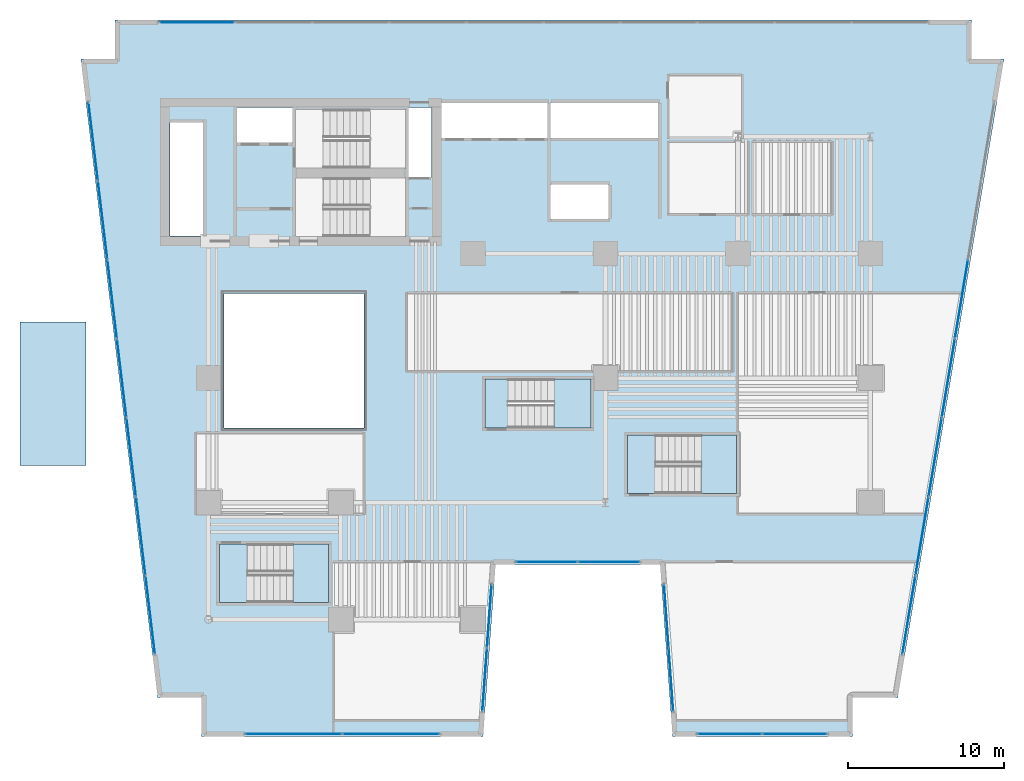
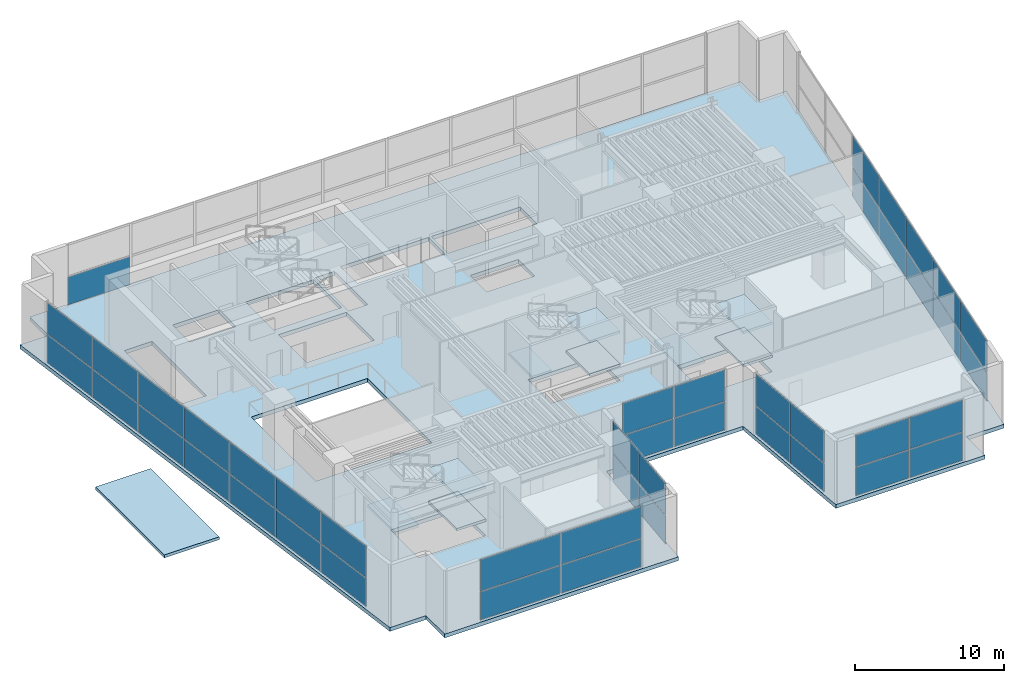
# One storey, part 8 of 17: 45 plates, 11 slabs, 11 elements without a shape of their own.
"""IFC4 building model written with IfcOpenShell, lengths in metres."""

from ifc_helpers import new_model, si_unit, direction, frame, origin, origin_2d, place, context, subcontext, project, spatial, polyline, rectangle, outline, extrude, material, layer, layer_set, type_object, element, aggregate, save


model = new_model("IFC4")

# Units and contexts
model_context = context("Model", 3, precision=1e-05, world=origin(), true_north=direction((0.0, 1.0)))
body_context = subcontext(model_context, "Body", "Model", "MODEL_VIEW")
ifc_project = project(units=[si_unit("LENGTHUNIT", "METRE"), si_unit("AREAUNIT", "SQUARE_METRE"), si_unit("VOLUMEUNIT", "CUBIC_METRE"), si_unit("PLANEANGLEUNIT", "RADIAN"), si_unit("MASSUNIT", "GRAM", prefix="KILO")], contexts=[model_context])

# Site, building, storey
site_placement = place(None, origin())
site = spatial("IfcSite", under=ifc_project, at=site_placement, CompositionType="ELEMENT")
building_placement = place(site_placement, origin())
building = spatial("IfcBuilding", under=site, at=building_placement, Name="Caeloran Harvest Quay", CompositionType="ELEMENT")
storey_placement = place(building_placement, frame((0.0, 0.0, 5.39990234375)))
storey = spatial("IfcBuildingStorey", under=building, at=storey_placement, Name="L02", CompositionType="ELEMENT", Elevation=5.39990234375)

# Curtain wall, plates
ifc_material_1 = material(Name="Aluminium 6063-T6 and Low-E Glazing", Category="aluminium")
ifc_layer_1 = layer(ifc_material_1, 0.179931640625, Name="Aluminium 6063-T6 and Low-E Glazing")
ifc_layer_set_1 = layer_set([ifc_layer_1], Name="Aluminium 6063-T6 and Low-E Glazing")
curtain_wall_type = type_object("IfcCurtainWallType", Name="CW-SYS-CW-1", PredefinedType="USERDEFINED", material=ifc_layer_set_1)
curtain_wall_1_placement = place(storey_placement, origin())
curtain_wall_1 = element("IfcCurtainWall", 1, at=curtain_wall_1_placement, inside=storey, type_object=curtain_wall_type, Name="L02 Unitised Curtain Wall CW-1 Run 3", ObjectType="CURTAIN_WALL", PredefinedType="USERDEFINED")
ifc_material_2 = material(Name="Low-E Double Glazed Vision Glass Unit", Category="glass")
ifc_layer_2 = layer(ifc_material_2, 0.035888671875, Name="Low-E Double Glazed Vision Glass Unit")
ifc_layer_set_2 = layer_set([ifc_layer_2], Name="Low-E Double Glazed Vision Glass Unit")
plate_type = type_object("IfcPlateType", Name="CW-VISION-PANEL", PredefinedType="CURTAIN_PANEL", material=ifc_layer_set_2)
plate_1_placement = place(storey_placement, frame((4.765380859375, 7.798095703125, 0.080078125), z_axis=(0.0, 0.0, 1.0), x_axis=(-0.119658079138, 0.992815161093, 0.0)))
plate_1 = element("IfcPlate", 2, at=plate_1_placement, type_object=plate_type, Name="CW-1 panel 1.1", PredefinedType="CURTAIN_PANEL", context=body_context, shape_type="SweptSolid", body=[
    extrude(rectangle(XDim=4.99072265625, YDim=0.035888671875, at=origin_2d()), origin(), (0.0, 0.0, 1.0), 2.280029296875),
])
plate_2_placement = place(storey_placement, frame((4.765380859375, 7.798095703125, 2.440185546875), z_axis=(0.0, 0.0, 1.0), x_axis=(-0.119658079138, 0.992815161093, 0.0)))
plate_2 = element("IfcPlate", 3, at=plate_2_placement, type_object=plate_type, Name="CW-1 panel 1.2", PredefinedType="CURTAIN_PANEL", context=body_context, shape_type="SweptSolid", body=[
    extrude(rectangle(XDim=4.99072265625, YDim=0.035888671875, at=origin_2d()), origin(), (0.0, 0.0, 1.0), 2.56005859375),
])
plate_3_placement = place(storey_placement, frame((4.15625, 12.85205078125, 0.080078125), z_axis=(0.0, 0.0, 1.0), x_axis=(-0.119658079138, 0.992815161093, 0.0)))
plate_3 = element("IfcPlate", 4, at=plate_3_placement, type_object=plate_type, Name="CW-1 panel 2.1", PredefinedType="CURTAIN_PANEL", context=body_context, shape_type="SweptSolid", body=[
    extrude(rectangle(XDim=5.030517578125, YDim=0.035888671875, at=origin_2d()), origin(), (0.0, 0.0, 1.0), 2.280029296875),
])
plate_4_placement = place(storey_placement, frame((4.15625, 12.85205078125, 2.440185546875), z_axis=(0.0, 0.0, 1.0), x_axis=(-0.119658079138, 0.992815161093, 0.0)))
plate_4 = element("IfcPlate", 5, at=plate_4_placement, type_object=plate_type, Name="CW-1 panel 2.2", PredefinedType="CURTAIN_PANEL", context=body_context, shape_type="SweptSolid", body=[
    extrude(rectangle(XDim=5.030517578125, YDim=0.035888671875, at=origin_2d()), origin(), (0.0, 0.0, 1.0), 2.56005859375),
])
plate_5_placement = place(storey_placement, frame((3.544677734375, 17.926025390625, 0.080078125), z_axis=(0.0, 0.0, 1.0), x_axis=(-0.119658079138, 0.992815161093, 0.0)))
plate_5 = element("IfcPlate", 6, at=plate_5_placement, type_object=plate_type, Name="CW-1 panel 3.1", PredefinedType="CURTAIN_PANEL", context=body_context, shape_type="SweptSolid", body=[
    extrude(rectangle(XDim=5.030517578125, YDim=0.035888671875, at=origin_2d()), origin(), (0.0, 0.0, 1.0), 2.280029296875),
])
plate_6_placement = place(storey_placement, frame((3.544677734375, 17.926025390625, 2.440185546875), z_axis=(0.0, 0.0, 1.0), x_axis=(-0.119658079138, 0.992815161093, 0.0)))
plate_6 = element("IfcPlate", 7, at=plate_6_placement, type_object=plate_type, Name="CW-1 panel 3.2", PredefinedType="CURTAIN_PANEL", context=body_context, shape_type="SweptSolid", body=[
    extrude(rectangle(XDim=5.030517578125, YDim=0.035888671875, at=origin_2d()), origin(), (0.0, 0.0, 1.0), 2.56005859375),
])
plate_7_placement = place(storey_placement, frame((2.93310546875, 23.0, 0.080078125), z_axis=(0.0, 0.0, 1.0), x_axis=(-0.119658079138, 0.992815161093, 0.0)))
plate_7 = element("IfcPlate", 8, at=plate_7_placement, type_object=plate_type, Name="CW-1 panel 4.1", PredefinedType="CURTAIN_PANEL", context=body_context, shape_type="SweptSolid", body=[
    extrude(rectangle(XDim=5.030517578125, YDim=0.035888671875, at=origin_2d()), origin(), (0.0, 0.0, 1.0), 2.280029296875),
])
plate_8_placement = place(storey_placement, frame((2.93310546875, 23.0, 2.440185546875), z_axis=(0.0, 0.0, 1.0), x_axis=(-0.119658079138, 0.992815161093, 0.0)))
plate_8 = element("IfcPlate", 9, at=plate_8_placement, type_object=plate_type, Name="CW-1 panel 4.2", PredefinedType="CURTAIN_PANEL", context=body_context, shape_type="SweptSolid", body=[
    extrude(rectangle(XDim=5.030517578125, YDim=0.035888671875, at=origin_2d()), origin(), (0.0, 0.0, 1.0), 2.56005859375),
])
plate_9_placement = place(storey_placement, frame((2.321533203125, 28.073974609375, 0.080078125), z_axis=(0.0, 0.0, 1.0), x_axis=(-0.119658079138, 0.992815161093, 0.0)))
plate_9 = element("IfcPlate", 10, at=plate_9_placement, type_object=plate_type, Name="CW-1 panel 5.1", PredefinedType="CURTAIN_PANEL", context=body_context, shape_type="SweptSolid", body=[
    extrude(rectangle(XDim=5.030517578125, YDim=0.035888671875, at=origin_2d()), origin(), (0.0, 0.0, 1.0), 2.280029296875),
])
plate_10_placement = place(storey_placement, frame((2.321533203125, 28.073974609375, 2.440185546875), z_axis=(0.0, 0.0, 1.0), x_axis=(-0.119658079138, 0.992815161093, 0.0)))
plate_10 = element("IfcPlate", 11, at=plate_10_placement, type_object=plate_type, Name="CW-1 panel 5.2", PredefinedType="CURTAIN_PANEL", context=body_context, shape_type="SweptSolid", body=[
    extrude(rectangle(XDim=5.030517578125, YDim=0.035888671875, at=origin_2d()), origin(), (0.0, 0.0, 1.0), 2.56005859375),
])
plate_11_placement = place(storey_placement, frame((1.710205078125, 33.14794921875, 0.080078125), z_axis=(0.0, 0.0, 1.0), x_axis=(-0.119658079138, 0.992815161093, 0.0)))
plate_11 = element("IfcPlate", 12, at=plate_11_placement, type_object=plate_type, Name="CW-1 panel 6.1", PredefinedType="CURTAIN_PANEL", context=body_context, shape_type="SweptSolid", body=[
    extrude(rectangle(XDim=5.030517578125, YDim=0.035888671875, at=origin_2d()), origin(), (0.0, 0.0, 1.0), 2.280029296875),
])
plate_12_placement = place(storey_placement, frame((1.710205078125, 33.14794921875, 2.440185546875), z_axis=(0.0, 0.0, 1.0), x_axis=(-0.119658079138, 0.992815161093, 0.0)))
plate_12 = element("IfcPlate", 13, at=plate_12_placement, type_object=plate_type, Name="CW-1 panel 6.2", PredefinedType="CURTAIN_PANEL", context=body_context, shape_type="SweptSolid", body=[
    extrude(rectangle(XDim=5.030517578125, YDim=0.035888671875, at=origin_2d()), origin(), (0.0, 0.0, 1.0), 2.56005859375),
])
plate_13_placement = place(storey_placement, frame((1.10107421875, 38.201904296875, 0.080078125), z_axis=(0.0, 0.0, 1.0), x_axis=(-0.119658079138, 0.992815161093, 0.0)))
plate_13 = element("IfcPlate", 14, at=plate_13_placement, type_object=plate_type, Name="CW-1 panel 7.1", PredefinedType="CURTAIN_PANEL", context=body_context, shape_type="SweptSolid", body=[
    extrude(rectangle(XDim=4.99072265625, YDim=0.035888671875, at=origin_2d()), origin(), (0.0, 0.0, 1.0), 2.280029296875),
])
plate_14_placement = place(storey_placement, frame((1.10107421875, 38.201904296875, 2.440185546875), z_axis=(0.0, 0.0, 1.0), x_axis=(-0.119658079138, 0.992815161093, 0.0)))
plate_14 = element("IfcPlate", 15, at=plate_14_placement, type_object=plate_type, Name="CW-1 panel 7.2", PredefinedType="CURTAIN_PANEL", context=body_context, shape_type="SweptSolid", body=[
    extrude(rectangle(XDim=4.99072265625, YDim=0.035888671875, at=origin_2d()), origin(), (0.0, 0.0, 1.0), 2.56005859375),
])
aggregate(curtain_wall_1, [plate_1, plate_2, plate_3, plate_4, plate_5, plate_6, plate_7, plate_8, plate_9, plate_10, plate_11, plate_12, plate_13, plate_14])

# Curtain wall, plate
curtain_wall_2_placement = place(storey_placement, origin())
curtain_wall_2 = element("IfcCurtainWall", 16, at=curtain_wall_2_placement, inside=storey, type_object=curtain_wall_type, Name="L02 Unitised Curtain Wall CW-1 Run 6", ObjectType="CURTAIN_WALL", PredefinedType="USERDEFINED")
plate_15_placement = place(storey_placement, frame((7.75390625, 45.840087890625, 0.080078125), z_axis=(0.0, 0.0, 1.0), x_axis=(1.0, 0.0, 0.0)))
plate_15 = element("IfcPlate", 17, at=plate_15_placement, type_object=plate_type, Name="CW-1 panel 1.1", PredefinedType="CURTAIN_PANEL", context=body_context, shape_type="SweptSolid", body=[
    extrude(rectangle(XDim=4.827880859375, YDim=0.035888671875, at=origin_2d()), origin(), (0.0, 0.0, 1.0), 2.280029296875),
])
aggregate(curtain_wall_2, [plate_15])

# Curtain wall, plates
curtain_wall_3_placement = place(storey_placement, origin())
curtain_wall_3 = element("IfcCurtainWall", 18, at=curtain_wall_3_placement, inside=storey, type_object=curtain_wall_type, Name="L02 Unitised Curtain Wall CW-1 Run 9", ObjectType="CURTAIN_WALL", PredefinedType="USERDEFINED")
plate_16_placement = place(storey_placement, frame((56.85498046875, 28.07861328125, 0.080078125), z_axis=(0.0, 0.0, 1.0), x_axis=(-0.164174905304, -0.986431244674, 0.0)))
plate_16 = element("IfcPlate", 19, at=plate_16_placement, type_object=plate_type, Name="CW-1 panel 3.1", PredefinedType="CURTAIN_PANEL", context=body_context, shape_type="SweptSolid", body=[
    extrude(rectangle(XDim=5.068603515625, YDim=0.035888671875, at=origin_2d()), origin(), (0.0, 0.0, 1.0), 2.280029296875),
])
plate_17_placement = place(storey_placement, frame((56.85498046875, 28.07861328125, 2.440185546875), z_axis=(0.0, 0.0, 1.0), x_axis=(-0.164174905304, -0.986431244674, 0.0)))
plate_17 = element("IfcPlate", 20, at=plate_17_placement, type_object=plate_type, Name="CW-1 panel 3.2", PredefinedType="CURTAIN_PANEL", context=body_context, shape_type="SweptSolid", body=[
    extrude(rectangle(XDim=5.068603515625, YDim=0.035888671875, at=origin_2d()), origin(), (0.0, 0.0, 1.0), 2.56005859375),
])
plate_18_placement = place(storey_placement, frame((56.009765625, 23.0, 0.080078125), z_axis=(0.0, 0.0, 1.0), x_axis=(-0.164174905304, -0.986431244674, 0.0)))
plate_18 = element("IfcPlate", 21, at=plate_18_placement, type_object=plate_type, Name="CW-1 panel 4.1", PredefinedType="CURTAIN_PANEL", context=body_context, shape_type="SweptSolid", body=[
    extrude(rectangle(XDim=5.068603515625, YDim=0.035888671875, at=origin_2d()), origin(), (0.0, 0.0, 1.0), 2.280029296875),
])
plate_19_placement = place(storey_placement, frame((56.009765625, 23.0, 2.440185546875), z_axis=(0.0, 0.0, 1.0), x_axis=(-0.164174905304, -0.986431244674, 0.0)))
plate_19 = element("IfcPlate", 22, at=plate_19_placement, type_object=plate_type, Name="CW-1 panel 4.2", PredefinedType="CURTAIN_PANEL", context=body_context, shape_type="SweptSolid", body=[
    extrude(rectangle(XDim=5.068603515625, YDim=0.035888671875, at=origin_2d()), origin(), (0.0, 0.0, 1.0), 2.56005859375),
])
plate_20_placement = place(storey_placement, frame((55.16455078125, 17.92138671875, 0.080078125), z_axis=(0.0, 0.0, 1.0), x_axis=(-0.164174905304, -0.986431244674, 0.0)))
plate_20 = element("IfcPlate", 23, at=plate_20_placement, type_object=plate_type, Name="CW-1 panel 5.1", PredefinedType="CURTAIN_PANEL", context=body_context, shape_type="SweptSolid", body=[
    extrude(rectangle(XDim=5.068603515625, YDim=0.035888671875, at=origin_2d()), origin(), (0.0, 0.0, 1.0), 2.280029296875),
])
plate_21_placement = place(storey_placement, frame((55.16455078125, 17.92138671875, 2.440185546875), z_axis=(0.0, 0.0, 1.0), x_axis=(-0.164174905304, -0.986431244674, 0.0)))
plate_21 = element("IfcPlate", 24, at=plate_21_placement, type_object=plate_type, Name="CW-1 panel 5.2", PredefinedType="CURTAIN_PANEL", context=body_context, shape_type="SweptSolid", body=[
    extrude(rectangle(XDim=5.068603515625, YDim=0.035888671875, at=origin_2d()), origin(), (0.0, 0.0, 1.0), 2.56005859375),
])
plate_22_placement = place(storey_placement, frame((54.3193359375, 12.8427734375, 0.080078125), z_axis=(0.0, 0.0, 1.0), x_axis=(-0.164174905304, -0.986431244674, 0.0)))
plate_22 = element("IfcPlate", 25, at=plate_22_placement, type_object=plate_type, Name="CW-1 panel 6.1", PredefinedType="CURTAIN_PANEL", context=body_context, shape_type="SweptSolid", body=[
    extrude(rectangle(XDim=5.068603515625, YDim=0.035888671875, at=origin_2d()), origin(), (0.0, 0.0, 1.0), 2.280029296875),
])
plate_23_placement = place(storey_placement, frame((54.3193359375, 12.8427734375, 2.440185546875), z_axis=(0.0, 0.0, 1.0), x_axis=(-0.164174905304, -0.986431244674, 0.0)))
plate_23 = element("IfcPlate", 26, at=plate_23_placement, type_object=plate_type, Name="CW-1 panel 6.2", PredefinedType="CURTAIN_PANEL", context=body_context, shape_type="SweptSolid", body=[
    extrude(rectangle(XDim=5.068603515625, YDim=0.035888671875, at=origin_2d()), origin(), (0.0, 0.0, 1.0), 2.56005859375),
])
plate_24_placement = place(storey_placement, frame((53.477294921875, 7.78369140625, 0.080078125), z_axis=(0.0, 0.0, 1.0), x_axis=(-0.164174905304, -0.986431244674, 0.0)))
plate_24 = element("IfcPlate", 27, at=plate_24_placement, type_object=plate_type, Name="CW-1 panel 7.1", PredefinedType="CURTAIN_PANEL", context=body_context, shape_type="SweptSolid", body=[
    extrude(rectangle(XDim=5.028564453125, YDim=0.035888671875, at=origin_2d()), origin(), (0.0, 0.0, 1.0), 2.280029296875),
])
plate_25_placement = place(storey_placement, frame((53.477294921875, 7.78369140625, 2.440185546875), z_axis=(0.0, 0.0, 1.0), x_axis=(-0.164174905304, -0.986431244674, 0.0)))
plate_25 = element("IfcPlate", 28, at=plate_25_placement, type_object=plate_type, Name="CW-1 panel 7.2", PredefinedType="CURTAIN_PANEL", context=body_context, shape_type="SweptSolid", body=[
    extrude(rectangle(XDim=5.028564453125, YDim=0.035888671875, at=origin_2d()), origin(), (0.0, 0.0, 1.0), 2.56005859375),
])
aggregate(curtain_wall_3, [plate_16, plate_17, plate_18, plate_19, plate_20, plate_21, plate_22, plate_23, plate_24, plate_25])

curtain_wall_4_placement = place(storey_placement, origin())
curtain_wall_4 = element("IfcCurtainWall", 29, at=curtain_wall_4_placement, inside=storey, type_object=curtain_wall_type, Name="L02 Unitised Curtain Wall CW-1 Run 12", ObjectType="CURTAIN_WALL", PredefinedType="USERDEFINED")
plate_26_placement = place(storey_placement, frame((46.15625, 0.159912109375, 0.080078125), z_axis=(0.0, 0.0, 1.0), x_axis=(-1.0, 0.0, 0.0)))
plate_26 = element("IfcPlate", 30, at=plate_26_placement, type_object=plate_type, Name="CW-1 panel 1.1", PredefinedType="CURTAIN_PANEL", context=body_context, shape_type="SweptSolid", body=[
    extrude(rectangle(XDim=4.095703125, YDim=0.035888671875, at=origin_2d()), origin(), (0.0, 0.0, 1.0), 2.280029296875),
])
plate_27_placement = place(storey_placement, frame((46.15625, 0.159912109375, 2.440185546875), z_axis=(0.0, 0.0, 1.0), x_axis=(-1.0, 0.0, 0.0)))
plate_27 = element("IfcPlate", 31, at=plate_27_placement, type_object=plate_type, Name="CW-1 panel 1.2", PredefinedType="CURTAIN_PANEL", context=body_context, shape_type="SweptSolid", body=[
    extrude(rectangle(XDim=4.095703125, YDim=0.035888671875, at=origin_2d()), origin(), (0.0, 0.0, 1.0), 2.56005859375),
])
plate_28_placement = place(storey_placement, frame((41.980712890625, 0.159912109375, 0.080078125), z_axis=(0.0, 0.0, 1.0), x_axis=(-1.0, 0.0, 0.0)))
plate_28 = element("IfcPlate", 32, at=plate_28_placement, type_object=plate_type, Name="CW-1 panel 2.1", PredefinedType="CURTAIN_PANEL", context=body_context, shape_type="SweptSolid", body=[
    extrude(rectangle(XDim=4.095703125, YDim=0.035888671875, at=origin_2d()), origin(), (0.0, 0.0, 1.0), 2.280029296875),
])
plate_29_placement = place(storey_placement, frame((41.980712890625, 0.159912109375, 2.440185546875), z_axis=(0.0, 0.0, 1.0), x_axis=(-1.0, 0.0, 0.0)))
plate_29 = element("IfcPlate", 33, at=plate_29_placement, type_object=plate_type, Name="CW-1 panel 2.2", PredefinedType="CURTAIN_PANEL", context=body_context, shape_type="SweptSolid", body=[
    extrude(rectangle(XDim=4.095703125, YDim=0.035888671875, at=origin_2d()), origin(), (0.0, 0.0, 1.0), 2.56005859375),
])
aggregate(curtain_wall_4, [plate_26, plate_27, plate_28, plate_29])

curtain_wall_5_placement = place(storey_placement, origin())
curtain_wall_5 = element("IfcCurtainWall", 34, at=curtain_wall_5_placement, inside=storey, type_object=curtain_wall_type, Name="L02 Unitised Curtain Wall CW-1 Run 13", ObjectType="CURTAIN_WALL", PredefinedType="USERDEFINED")
plate_30_placement = place(storey_placement, frame((38.20068359375, 3.63818359375, 0.080078125), z_axis=(0.0, 0.0, 1.0), x_axis=(-0.072270599173, 0.997385061295, 0.0)))
plate_30 = element("IfcPlate", 35, at=plate_30_placement, type_object=plate_type, Name="CW-1 panel 1.1", PredefinedType="CURTAIN_PANEL", context=body_context, shape_type="SweptSolid", body=[
    extrude(rectangle(XDim=4.014404296875, YDim=0.035888671875, at=origin_2d()), origin(), (0.0, 0.0, 1.0), 2.280029296875),
])
plate_31_placement = place(storey_placement, frame((38.20068359375, 3.63818359375, 2.440185546875), z_axis=(0.0, 0.0, 1.0), x_axis=(-0.072270599173, 0.997385061295, 0.0)))
plate_31 = element("IfcPlate", 36, at=plate_31_placement, type_object=plate_type, Name="CW-1 panel 1.2", PredefinedType="CURTAIN_PANEL", context=body_context, shape_type="SweptSolid", body=[
    extrude(rectangle(XDim=4.014404296875, YDim=0.035888671875, at=origin_2d()), origin(), (0.0, 0.0, 1.0), 2.56005859375),
])
plate_32_placement = place(storey_placement, frame((37.90478515625, 7.721923828125, 0.080078125), z_axis=(0.0, 0.0, 1.0), x_axis=(-0.072270599173, 0.997385061295, 0.0)))
plate_32 = element("IfcPlate", 37, at=plate_32_placement, type_object=plate_type, Name="CW-1 panel 2.1", PredefinedType="CURTAIN_PANEL", context=body_context, shape_type="SweptSolid", body=[
    extrude(rectangle(XDim=4.014404296875, YDim=0.035888671875, at=origin_2d()), origin(), (0.0, 0.0, 1.0), 2.280029296875),
])
plate_33_placement = place(storey_placement, frame((37.90478515625, 7.721923828125, 2.440185546875), z_axis=(0.0, 0.0, 1.0), x_axis=(-0.072270599173, 0.997385061295, 0.0)))
plate_33 = element("IfcPlate", 38, at=plate_33_placement, type_object=plate_type, Name="CW-1 panel 2.2", PredefinedType="CURTAIN_PANEL", context=body_context, shape_type="SweptSolid", body=[
    extrude(rectangle(XDim=4.014404296875, YDim=0.035888671875, at=origin_2d()), origin(), (0.0, 0.0, 1.0), 2.56005859375),
])
aggregate(curtain_wall_5, [plate_30, plate_31, plate_32, plate_33])

curtain_wall_6_placement = place(storey_placement, origin())
curtain_wall_6 = element("IfcCurtainWall", 39, at=curtain_wall_6_placement, inside=storey, type_object=curtain_wall_type, Name="L02 Unitised Curtain Wall CW-1 Run 14", ObjectType="CURTAIN_WALL", PredefinedType="USERDEFINED")
plate_34_placement = place(storey_placement, frame((34.21630859375, 11.199951171875, 0.080078125), z_axis=(0.0, 0.0, 1.0), x_axis=(-1.0, 0.0, 0.0)))
plate_34 = element("IfcPlate", 40, at=plate_34_placement, type_object=plate_type, Name="CW-1 panel 1.1", PredefinedType="CURTAIN_PANEL", context=body_context, shape_type="SweptSolid", body=[
    extrude(rectangle(XDim=3.912841796875, YDim=0.035888671875, at=origin_2d()), origin(), (0.0, 0.0, 1.0), 2.280029296875),
])
plate_35_placement = place(storey_placement, frame((34.21630859375, 11.199951171875, 2.440185546875), z_axis=(0.0, 0.0, 1.0), x_axis=(-1.0, 0.0, 0.0)))
plate_35 = element("IfcPlate", 41, at=plate_35_placement, type_object=plate_type, Name="CW-1 panel 1.2", PredefinedType="CURTAIN_PANEL", context=body_context, shape_type="SweptSolid", body=[
    extrude(rectangle(XDim=3.912841796875, YDim=0.035888671875, at=origin_2d()), origin(), (0.0, 0.0, 1.0), 2.56005859375),
])
plate_36_placement = place(storey_placement, frame((30.2236328125, 11.199951171875, 0.080078125), z_axis=(0.0, 0.0, 1.0), x_axis=(-1.0, 0.0, 0.0)))
plate_36 = element("IfcPlate", 42, at=plate_36_placement, type_object=plate_type, Name="CW-1 panel 2.1", PredefinedType="CURTAIN_PANEL", context=body_context, shape_type="SweptSolid", body=[
    extrude(rectangle(XDim=3.912841796875, YDim=0.035888671875, at=origin_2d()), origin(), (0.0, 0.0, 1.0), 2.280029296875),
])
plate_37_placement = place(storey_placement, frame((30.2236328125, 11.199951171875, 2.440185546875), z_axis=(0.0, 0.0, 1.0), x_axis=(-1.0, 0.0, 0.0)))
plate_37 = element("IfcPlate", 43, at=plate_37_placement, type_object=plate_type, Name="CW-1 panel 2.2", PredefinedType="CURTAIN_PANEL", context=body_context, shape_type="SweptSolid", body=[
    extrude(rectangle(XDim=3.912841796875, YDim=0.035888671875, at=origin_2d()), origin(), (0.0, 0.0, 1.0), 2.56005859375),
])
aggregate(curtain_wall_6, [plate_34, plate_35, plate_36, plate_37])

curtain_wall_7_placement = place(storey_placement, origin())
curtain_wall_7 = element("IfcCurtainWall", 44, at=curtain_wall_7_placement, inside=storey, type_object=curtain_wall_type, Name="L02 Unitised Curtain Wall CW-1 Run 15", ObjectType="CURTAIN_WALL", PredefinedType="USERDEFINED")
plate_38_placement = place(storey_placement, frame((26.53515625, 7.721923828125, 0.080078125), z_axis=(0.0, 0.0, 1.0), x_axis=(-0.072270599173, -0.997385061295, 0.0)))
plate_38 = element("IfcPlate", 45, at=plate_38_placement, type_object=plate_type, Name="CW-1 panel 1.1", PredefinedType="CURTAIN_PANEL", context=body_context, shape_type="SweptSolid", body=[
    extrude(rectangle(XDim=4.014404296875, YDim=0.035888671875, at=origin_2d()), origin(), (0.0, 0.0, 1.0), 2.280029296875),
])
plate_39_placement = place(storey_placement, frame((26.53515625, 7.721923828125, 2.440185546875), z_axis=(0.0, 0.0, 1.0), x_axis=(-0.072270599173, -0.997385061295, 0.0)))
plate_39 = element("IfcPlate", 46, at=plate_39_placement, type_object=plate_type, Name="CW-1 panel 1.2", PredefinedType="CURTAIN_PANEL", context=body_context, shape_type="SweptSolid", body=[
    extrude(rectangle(XDim=4.014404296875, YDim=0.035888671875, at=origin_2d()), origin(), (0.0, 0.0, 1.0), 2.56005859375),
])
plate_40_placement = place(storey_placement, frame((26.2392578125, 3.63818359375, 0.080078125), z_axis=(0.0, 0.0, 1.0), x_axis=(-0.072270599173, -0.997385061295, 0.0)))
plate_40 = element("IfcPlate", 47, at=plate_40_placement, type_object=plate_type, Name="CW-1 panel 2.1", PredefinedType="CURTAIN_PANEL", context=body_context, shape_type="SweptSolid", body=[
    extrude(rectangle(XDim=4.014404296875, YDim=0.035888671875, at=origin_2d()), origin(), (0.0, 0.0, 1.0), 2.280029296875),
])
plate_41_placement = place(storey_placement, frame((26.2392578125, 3.63818359375, 2.440185546875), z_axis=(0.0, 0.0, 1.0), x_axis=(-0.072270599173, -0.997385061295, 0.0)))
plate_41 = element("IfcPlate", 48, at=plate_41_placement, type_object=plate_type, Name="CW-1 panel 2.2", PredefinedType="CURTAIN_PANEL", context=body_context, shape_type="SweptSolid", body=[
    extrude(rectangle(XDim=4.014404296875, YDim=0.035888671875, at=origin_2d()), origin(), (0.0, 0.0, 1.0), 2.56005859375),
])
aggregate(curtain_wall_7, [plate_38, plate_39, plate_40, plate_41])

curtain_wall_8_placement = place(storey_placement, origin())
curtain_wall_8 = element("IfcCurtainWall", 49, at=curtain_wall_8_placement, inside=storey, type_object=curtain_wall_type, Name="L02 Unitised Curtain Wall CW-1 Run 16", ObjectType="CURTAIN_WALL", PredefinedType="USERDEFINED")
plate_42_placement = place(storey_placement, frame((20.221435546875, 0.159912109375, 0.080078125), z_axis=(0.0, 0.0, 1.0), x_axis=(-1.0, 0.0, 0.0)))
plate_42 = element("IfcPlate", 50, at=plate_42_placement, type_object=plate_type, Name="CW-1 panel 1.1", PredefinedType="CURTAIN_PANEL", context=body_context, shape_type="SweptSolid", body=[
    extrude(rectangle(XDim=6.171630859375, YDim=0.035888671875, at=origin_2d()), origin(), (0.0, 0.0, 1.0), 2.280029296875),
])
plate_43_placement = place(storey_placement, frame((20.221435546875, 0.159912109375, 2.440185546875), z_axis=(0.0, 0.0, 1.0), x_axis=(-1.0, 0.0, 0.0)))
plate_43 = element("IfcPlate", 51, at=plate_43_placement, type_object=plate_type, Name="CW-1 panel 1.2", PredefinedType="CURTAIN_PANEL", context=body_context, shape_type="SweptSolid", body=[
    extrude(rectangle(XDim=6.171630859375, YDim=0.035888671875, at=origin_2d()), origin(), (0.0, 0.0, 1.0), 2.56005859375),
])
plate_44_placement = place(storey_placement, frame((13.9697265625, 0.159912109375, 0.080078125), z_axis=(0.0, 0.0, 1.0), x_axis=(-1.0, 0.0, 0.0)))
plate_44 = element("IfcPlate", 52, at=plate_44_placement, type_object=plate_type, Name="CW-1 panel 2.1", PredefinedType="CURTAIN_PANEL", context=body_context, shape_type="SweptSolid", body=[
    extrude(rectangle(XDim=6.171630859375, YDim=0.035888671875, at=origin_2d()), origin(), (0.0, 0.0, 1.0), 2.280029296875),
])
plate_45_placement = place(storey_placement, frame((13.9697265625, 0.159912109375, 2.440185546875), z_axis=(0.0, 0.0, 1.0), x_axis=(-1.0, 0.0, 0.0)))
plate_45 = element("IfcPlate", 53, at=plate_45_placement, type_object=plate_type, Name="CW-1 panel 2.2", PredefinedType="CURTAIN_PANEL", context=body_context, shape_type="SweptSolid", body=[
    extrude(rectangle(XDim=6.171630859375, YDim=0.035888671875, at=origin_2d()), origin(), (0.0, 0.0, 1.0), 2.56005859375),
])
aggregate(curtain_wall_8, [plate_42, plate_43, plate_44, plate_45])

# Slabs
ifc_material_3 = material(Name="Concrete C50/60", Category="concrete")
ifc_layer_3 = layer(ifc_material_3, 0.320068359375, Name="Concrete C50/60")
ifc_layer_set_3 = layer_set([ifc_layer_3], Name="Concrete C50/60")
slab_type_1 = type_object("IfcSlabType", Name="SLAB-FS-320", PredefinedType="FLOOR", material=ifc_layer_set_3)
slab_1_placement = place(storey_placement, frame((0.0, 0.0, -0.31982421875)))
element("IfcSlab", 54, at=slab_1_placement, inside=storey, type_object=slab_type_1, Name="L02 Structural Floor Slab", PredefinedType="FLOOR", context=body_context, shape_type="SweptSolid", body=[
    extrude(outline(polyline([(8.0439453125, 0.0), (26.135986328125, 0.0), (26.93603515625, 11.0400390625), (37.50390625, 11.0400390625), (38.303955078125, 0.0), (49.843994140625, 0.0), (49.843994140625, 2.5), (52.760009765625, 2.5), (59.583984375, 43.5), (57.5, 43.5), (57.5, 46.0), (2.5, 46.0), (2.5, 43.5), (0.30126953125, 43.5), (5.24267578125, 2.5), (8.0439453125, 2.5), (8.0439453125, 0.0)]), holes=[polyline([(11.0, 8.60009765625), (11.0, 12.35009765625), (16.199951171875, 12.35009765625), (16.199951171875, 8.60009765625), (11.0, 8.60009765625)]), polyline([(9.5, 19.800048828125), (9.5, 28.449951171875), (18.5, 28.449951171875), (18.5, 19.800048828125), (9.5, 19.800048828125)]), polyline([(15.89990234375, 35.85009765625), (21.14990234375, 35.85009765625), (21.14990234375, 32.10009765625), (15.89990234375, 32.10009765625), (15.89990234375, 35.85009765625)]), polyline([(8.159912109375, 32.1201171875), (6.02001953125, 32.1201171875), (6.02001953125, 39.419921875), (8.159912109375, 39.419921875), (8.159912109375, 32.1201171875)]), polyline([(15.89990234375, 40.25), (21.14990234375, 40.25), (21.14990234375, 36.5), (15.89990234375, 36.5), (15.89990234375, 40.25)]), polyline([(10.320068359375, 38.1201171875), (10.320068359375, 40.3798828125), (13.89990234375, 40.3798828125), (13.89990234375, 38.1201171875), (10.320068359375, 38.1201171875)]), polyline([(37.199951171875, 15.60009765625), (37.199951171875, 19.35009765625), (42.39990234375, 19.35009765625), (42.39990234375, 15.60009765625), (37.199951171875, 15.60009765625)]), polyline([(27.75, 22.949951171875), (33.050048828125, 22.949951171875), (33.050048828125, 19.800048828125), (27.75, 19.800048828125), (27.75, 22.949951171875)]), polyline([(30.47998046875, 33.219970703125), (30.47998046875, 35.429931640625), (34.199951171875, 35.429931640625), (34.199951171875, 33.219970703125), (30.47998046875, 33.219970703125)]), polyline([(22.830078125, 35.919921875), (21.35009765625, 35.919921875), (21.35009765625, 40.3798828125), (22.830078125, 40.3798828125), (22.830078125, 35.919921875)]), polyline([(23.469970703125, 38.419921875), (23.469970703125, 40.679931640625), (30.280029296875, 40.679931640625), (30.280029296875, 38.419921875), (23.469970703125, 38.419921875)]), polyline([(30.47998046875, 38.419921875), (30.47998046875, 40.679931640625), (37.3798828125, 40.679931640625), (37.3798828125, 38.419921875), (30.47998046875, 38.419921875)])]), origin(), (0.0, 0.0, 1.0), 0.31982421875),
])
ifc_layer_4 = layer(ifc_material_3, 0.239990234375, Name="Concrete C50/60")
ifc_layer_set_4 = layer_set([ifc_layer_4], Name="Concrete C50/60")
slab_type_2 = type_object("IfcSlabType", Name="SLAB-TR-240", PredefinedType="ROOF", material=ifc_layer_set_4)
slab_2_placement = place(storey_placement, frame((0.0, 0.0, -0.239990234375)))
element("IfcSlab", 55, at=slab_2_placement, inside=storey, type_object=slab_type_2, Name="Waterfront Entrance Porte-Cochere Canopy Slab", PredefinedType="ROOF", context=body_context, shape_type="SweptSolid", body=[
    extrude(outline(polyline([(-3.60009765625, 17.39990234375), (0.64990234375, 17.39990234375), (0.64990234375, 26.60009765625), (-3.60009765625, 26.60009765625), (-3.60009765625, 17.39990234375)])), origin(), (0.0, 0.0, 1.0), 0.239990234375),
])

# Stair, slabs
stair_type_1 = type_object("IfcStairType", Name="STAIR-STW-150", PredefinedType="HALF_TURN_STAIR", material=ifc_material_3)
stair_1_placement = place(storey_placement, origin())
stair_1 = element("IfcStair", 56, at=stair_1_placement, inside=storey, type_object=stair_type_1, Name="L02 East Wing Protected Exit Stair ST-W1", PredefinedType="HALF_TURN_STAIR")
ifc_layer_5 = layer(ifc_material_3, 0.219970703125, Name="Concrete C50/60")
ifc_layer_set_5 = layer_set([ifc_layer_5], Name="Concrete C50/60")
slab_type_3 = type_object("IfcSlabType", Name="STAIR-LANDING-220", PredefinedType="LANDING", material=ifc_layer_set_5)
slab_3_placement = place(storey_placement, frame((0.0, 0.0, 1.150146484375)))
slab_3 = element("IfcSlab", 57, at=slab_3_placement, type_object=slab_type_3, Name="ST-W1 landing 1", PredefinedType="LANDING", context=body_context, shape_type="SweptSolid", body=[
    extrude(outline(polyline([(30.68994140625, 19.800048828125), (33.050048828125, 19.800048828125), (33.050048828125, 22.949951171875), (30.68994140625, 22.949951171875), (30.68994140625, 19.800048828125)])), origin(), (0.0, 0.0, 1.0), 0.199951171875),
])
slab_4_placement = place(storey_placement, frame((0.0, 0.0, 2.5)))
slab_4 = element("IfcSlab", 58, at=slab_4_placement, type_object=slab_type_3, Name="ST-W1 landing 2", PredefinedType="LANDING", context=body_context, shape_type="SweptSolid", body=[
    extrude(outline(polyline([(26.25, 19.800048828125), (27.75, 19.800048828125), (27.75, 22.949951171875), (26.25, 22.949951171875), (26.25, 19.800048828125)])), origin(), (0.0, 0.0, 1.0), 0.2001953125),
])
slab_5_placement = place(storey_placement, frame((0.0, 0.0, 3.85009765625)))
slab_5 = element("IfcSlab", 59, at=slab_5_placement, type_object=slab_type_3, Name="ST-W1 landing 3", PredefinedType="LANDING", context=body_context, shape_type="SweptSolid", body=[
    extrude(outline(polyline([(30.68994140625, 19.800048828125), (33.050048828125, 19.800048828125), (33.050048828125, 22.949951171875), (30.68994140625, 22.949951171875), (30.68994140625, 19.800048828125)])), origin(), (0.0, 0.0, 1.0), 0.199951171875),
])
aggregate(stair_1, [slab_3, slab_4, slab_5])

stair_type_2 = type_object("IfcStairType", Name="STAIR-STP-180", PredefinedType="HALF_TURN_STAIR", material=ifc_material_3)
stair_2_placement = place(storey_placement, origin())
stair_2 = element("IfcStair", 60, at=stair_2_placement, inside=storey, type_object=stair_type_2, Name="L02 Podium West Public Exit Stair ST-P1", PredefinedType="HALF_TURN_STAIR")
slab_6_placement = place(storey_placement, frame((0.0, 0.0, 1.150146484375)))
slab_6 = element("IfcSlab", 61, at=slab_6_placement, type_object=slab_type_3, Name="ST-P1 landing 1", PredefinedType="LANDING", context=body_context, shape_type="SweptSolid", body=[
    extrude(outline(polyline([(13.93994140625, 8.60009765625), (16.199951171875, 8.60009765625), (16.199951171875, 12.35009765625), (13.93994140625, 12.35009765625), (13.93994140625, 8.60009765625)])), origin(), (0.0, 0.0, 1.0), 0.199951171875),
])
slab_7_placement = place(storey_placement, frame((0.0, 0.0, 2.5)))
slab_7 = element("IfcSlab", 62, at=slab_7_placement, type_object=slab_type_3, Name="ST-P1 landing 2", PredefinedType="LANDING", context=body_context, shape_type="SweptSolid", body=[
    extrude(outline(polyline([(9.199951171875, 8.60009765625), (11.0, 8.60009765625), (11.0, 12.35009765625), (9.199951171875, 12.35009765625), (9.199951171875, 8.60009765625)])), origin(), (0.0, 0.0, 1.0), 0.2001953125),
])
slab_8_placement = place(storey_placement, frame((0.0, 0.0, 3.85009765625)))
slab_8 = element("IfcSlab", 63, at=slab_8_placement, type_object=slab_type_3, Name="ST-P1 landing 3", PredefinedType="LANDING", context=body_context, shape_type="SweptSolid", body=[
    extrude(outline(polyline([(13.93994140625, 8.60009765625), (16.199951171875, 8.60009765625), (16.199951171875, 12.35009765625), (13.93994140625, 12.35009765625), (13.93994140625, 8.60009765625)])), origin(), (0.0, 0.0, 1.0), 0.199951171875),
])
aggregate(stair_2, [slab_6, slab_7, slab_8])

stair_3_placement = place(storey_placement, origin())
stair_3 = element("IfcStair", 64, at=stair_3_placement, inside=storey, type_object=stair_type_2, Name="L02 Podium East Public Exit Stair ST-P2", PredefinedType="HALF_TURN_STAIR")
slab_9_placement = place(storey_placement, frame((0.0, 0.0, 1.150146484375)))
slab_9 = element("IfcSlab", 65, at=slab_9_placement, type_object=slab_type_3, Name="ST-P2 landing 1", PredefinedType="LANDING", context=body_context, shape_type="SweptSolid", body=[
    extrude(outline(polyline([(40.139892578125, 15.60009765625), (42.39990234375, 15.60009765625), (42.39990234375, 19.35009765625), (40.139892578125, 19.35009765625), (40.139892578125, 15.60009765625)])), origin(), (0.0, 0.0, 1.0), 0.199951171875),
])
slab_10_placement = place(storey_placement, frame((0.0, 0.0, 2.5)))
slab_10 = element("IfcSlab", 66, at=slab_10_placement, type_object=slab_type_3, Name="ST-P2 landing 2", PredefinedType="LANDING", context=body_context, shape_type="SweptSolid", body=[
    extrude(outline(polyline([(35.39990234375, 15.60009765625), (37.199951171875, 15.60009765625), (37.199951171875, 19.35009765625), (35.39990234375, 19.35009765625), (35.39990234375, 15.60009765625)])), origin(), (0.0, 0.0, 1.0), 0.2001953125),
])
slab_11_placement = place(storey_placement, frame((0.0, 0.0, 3.85009765625)))
slab_11 = element("IfcSlab", 67, at=slab_11_placement, type_object=slab_type_3, Name="ST-P2 landing 3", PredefinedType="LANDING", context=body_context, shape_type="SweptSolid", body=[
    extrude(outline(polyline([(40.139892578125, 15.60009765625), (42.39990234375, 15.60009765625), (42.39990234375, 19.35009765625), (40.139892578125, 19.35009765625), (40.139892578125, 15.60009765625)])), origin(), (0.0, 0.0, 1.0), 0.199951171875),
])
aggregate(stair_3, [slab_9, slab_10, slab_11])

save(model, "model.ifc")
